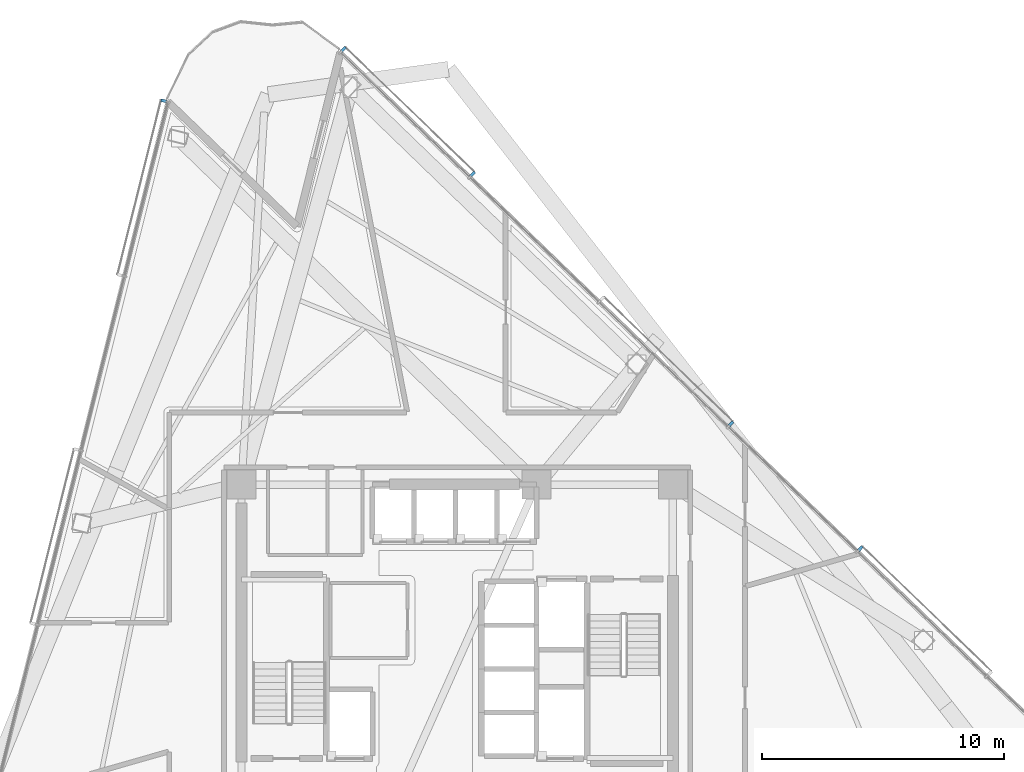
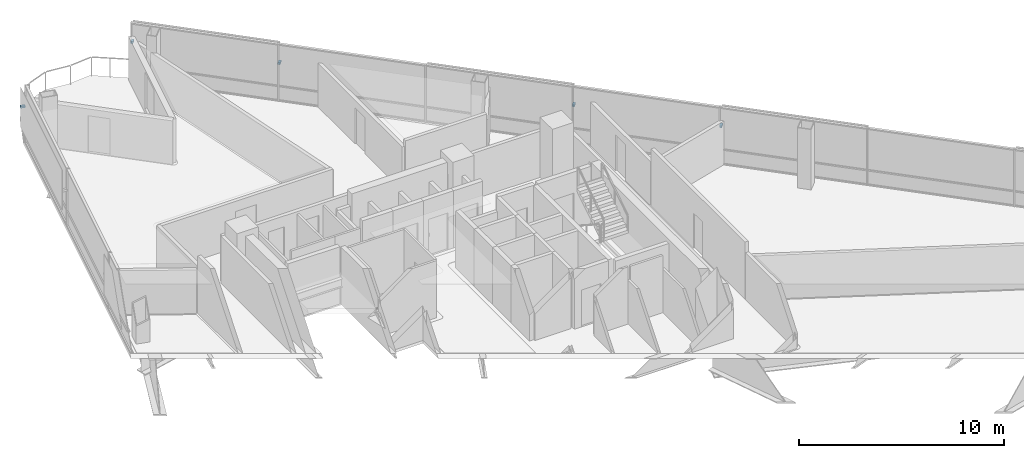
# One storey, part 16 of 21: 5 discrete accessories.
"""IFC4 building model written with IfcOpenShell, lengths in metres."""

from ifc_helpers import new_model, si_unit, direction, frame, origin, origin_2d, place, context, subcontext, project, spatial, rectangle, extrude, material, type_object, element, save


model = new_model("IFC4")

# Units and contexts
model_context = context("Model", 3, precision=1e-05, world=origin(), true_north=direction((0.0, 1.0)))
body_context = subcontext(model_context, "Body", "Model", "MODEL_VIEW")
ifc_project = project(units=[si_unit("LENGTHUNIT", "METRE"), si_unit("AREAUNIT", "SQUARE_METRE"), si_unit("VOLUMEUNIT", "CUBIC_METRE"), si_unit("PLANEANGLEUNIT", "RADIAN"), si_unit("MASSUNIT", "GRAM", prefix="KILO")], contexts=[model_context])

# Site, building, storey
site_placement = place(None, origin())
site = spatial("IfcSite", under=ifc_project, at=site_placement, CompositionType="ELEMENT")
building_placement = place(site_placement, origin())
building = spatial("IfcBuilding", under=site, at=building_placement, Name="Tharavind Bronze Gate", CompositionType="ELEMENT")
storey_placement = place(building_placement, frame((0.0, 0.0, 86.10009765625)))
storey = spatial("IfcBuildingStorey", under=building, at=storey_placement, Name="L21", CompositionType="ELEMENT", Elevation=86.10009765625)

# Discrete accessories
ifc_material = material(Name="Stainless Steel 316", Category="steel")
discrete_accessory_type = type_object("IfcDiscreteAccessoryType", Name="SOLAR SCREEN STANDOFF BRACKET", PredefinedType="BRACKET", material=ifc_material)
for number, where, z_axis, x_axis, name in (
    (1, (-12.1083984375, 23.437744140625, 2.0947265625), (0.0, 0.0, 1.0), (-0.2419218956, -0.970295726276, 0.0), "CW-L21-S1 solar screen bracket 1.1"),
    (2, (16.637939453125, 4.962158203125, 2.0947265625), (0.0, 0.0, 1.0), (-0.719341012745, 0.694657114973, 0.0), "CW-L21-S3 solar screen bracket 3.2"),
    (3, (11.3046875, 10.1123046875, 2.0947265625), (0.0, 0.0, 1.0), (-0.719341012745, 0.694657114973, 0.0), "CW-L21-S3 solar screen bracket 5.1"),
    (4, (0.637939453125, 20.4130859375, 2.0947265625), (0.0, 0.0, 1.0), (-0.719341012745, 0.694657114973, 0.0), "CW-L21-S3 solar screen bracket 7.1"),
    (5, (-4.6953125, 25.5634765625, 2.0947265625), (0.0, 0.0, 1.0), (-0.719341012745, 0.694657114973, 0.0), "CW-L21-S3 solar screen bracket 7.2"),
):
    element("IfcDiscreteAccessory", number, at=place(storey_placement, frame(where, z_axis=z_axis, x_axis=x_axis)), inside=storey, type_object=discrete_accessory_type, Name=name, PredefinedType="BRACKET", context=body_context, shape_type="SweptSolid", body=[
        extrude(rectangle(XDim=0.1201171875, YDim=0.239990234375, at=origin_2d()), origin(), (0.0, 0.0, 1.0), 0.1201171875),
    ])

save(model, "model.ifc")
